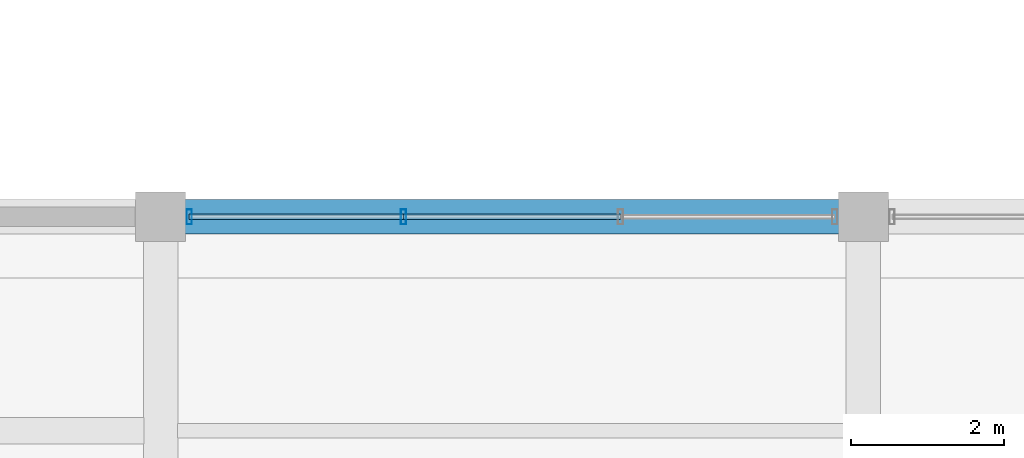
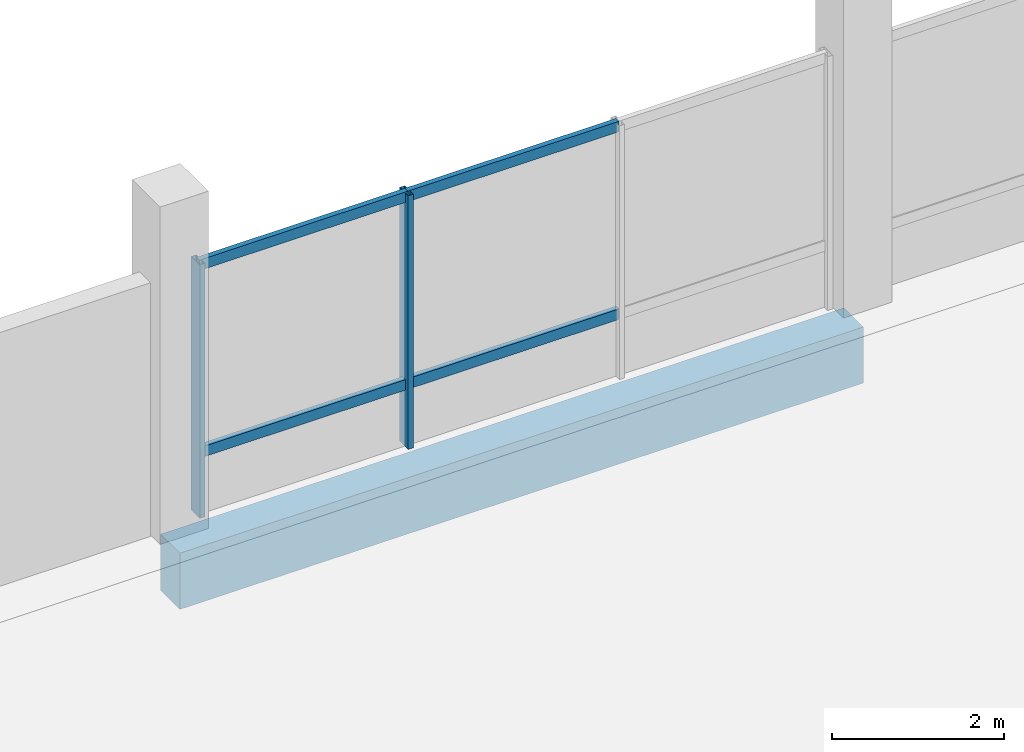
# One storey, part 26 of 71: 6 members, 1 beam, 1 element without a shape of its own.
"""IFC4 building model written with IfcOpenShell, lengths in metres."""

from ifc_helpers import new_model, si_unit, direction, frame, origin, origin_2d, place, context, subcontext, project, spatial, rectangle, hollow_rectangle, extrude, material, layer, layer_set, material_profile, profile_set, type_object, element, aggregate, save


model = new_model("IFC4")

# Units and contexts
model_context = context("Model", 3, precision=1e-05, world=origin(), true_north=direction((0.0, 1.0)))
body_context = subcontext(model_context, "Body", "Model", "MODEL_VIEW")
ifc_project = project(units=[si_unit("LENGTHUNIT", "METRE"), si_unit("AREAUNIT", "SQUARE_METRE"), si_unit("VOLUMEUNIT", "CUBIC_METRE"), si_unit("PLANEANGLEUNIT", "RADIAN"), si_unit("MASSUNIT", "GRAM", prefix="KILO")], contexts=[model_context])

# Site, building, storey
site_placement = place(None, origin())
site = spatial("IfcSite", under=ifc_project, at=site_placement, CompositionType="ELEMENT")
building_placement = place(site_placement, origin())
building = spatial("IfcBuilding", under=site, at=building_placement, Name="Meriwether Solvik Hall", CompositionType="ELEMENT")
storey_placement = place(building_placement, frame((0.0, 0.0, 5.10009765625)))
storey = spatial("IfcBuildingStorey", under=building, at=storey_placement, Name="L01", CompositionType="ELEMENT", Elevation=5.10009765625)

# Beam
ifc_material_1 = material(Name="Concrete C40/50", Category="concrete")
ifc_material_profile_1 = material_profile(ifc_material_1, rectangle(XDim=0.449951171875, YDim=0.800048828125, at=origin_2d()), Name="RCB-450X800")
ifc_profile_set_1 = profile_set([ifc_material_profile_1], Name="Concrete C40/50")
beam_type = type_object("IfcBeamType", Name="BM-RC-450X800", PredefinedType="BEAM", material=ifc_profile_set_1)
beam_placement = place(storey_placement, frame((32.39990234375, 75.199951171875, -0.7001953125), z_axis=(1.0, 0.0, 0.0), x_axis=(0.0, 1.0, 0.0)))
element("IfcBeam", 1, at=beam_placement, inside=storey, type_object=beam_type, Name="Podium Girder I:4-5 (L01)", PredefinedType="BEAM", context=body_context, shape_type="SweptSolid", body=[
    extrude(rectangle(XDim=0.449951171875, YDim=0.800048828125, at=origin_2d()), origin(), (0.0, 0.0, 1.0), 9.2001953125),
])

# Curtain wall, members
ifc_material_2 = material(Name="Thermally Broken Anodised Aluminium 6063-T6 and Low-E Glass", Category="aluminium")
ifc_layer = layer(ifc_material_2, 0.179931640625)
ifc_layer_set = layer_set([ifc_layer], Name="Thermally Broken Anodised Aluminium 6063-T6 and Low-E Glass")
curtain_wall_type = type_object("IfcCurtainWallType", Name="CW-SF-POD-B", PredefinedType="USERDEFINED", material=ifc_layer_set)
curtain_wall_placement = place(storey_placement, origin())
curtain_wall = element("IfcCurtainWall", 2, at=curtain_wall_placement, inside=storey, type_object=curtain_wall_type, Name="Curtain Wall wing_XI_4_21 (L01)", ObjectType="STICK STOREFRONT GLAZING", PredefinedType="USERDEFINED")
ifc_material_3 = material(Name="Anodised Aluminium 6063-T6", Category="aluminium")
ifc_material_profile_2 = material_profile(ifc_material_3, hollow_rectangle(XDim=0.070068359375, YDim=0.199951171875, WallThickness=0.0048828125, at=origin_2d()), Name="CWM-70X200")
ifc_profile_set_2 = profile_set([ifc_material_profile_2], Name="Anodised Aluminium 6063-T6")
member_type_1 = type_object("IfcMemberType", Name="CW-MUL-70X200", PredefinedType="MULLION", material=ifc_profile_set_2)
member_1_placement = place(storey_placement, frame((32.77490234375, 75.199951171875, 0.0), z_axis=(0.0, 0.0, 1.0), x_axis=(1.0, 0.0, 0.0)))
member_1 = element("IfcMember", 3, at=member_1_placement, type_object=member_type_1, Name="Curtain Wall Mullion 1", PredefinedType="MULLION", context=body_context, shape_type="SweptSolid", body=[
    extrude(hollow_rectangle(XDim=0.070068359375, YDim=0.199951171875, WallThickness=0.0048828125, at=origin_2d()), origin(), (0.0, 0.0, 1.0), 3.60986328125),
])
member_2_placement = place(storey_placement, frame((35.5791015625, 75.199951171875, 0.0), z_axis=(0.0, 0.0, 1.0), x_axis=(1.0, 0.0, 0.0)))
member_2 = element("IfcMember", 4, at=member_2_placement, type_object=member_type_1, Name="Curtain Wall Mullion 2", PredefinedType="MULLION", context=body_context, shape_type="SweptSolid", body=[
    extrude(hollow_rectangle(XDim=0.070068359375, YDim=0.199951171875, WallThickness=0.0048828125, at=origin_2d()), origin(), (0.0, 0.0, 1.0), 3.60986328125),
])
ifc_material_4 = material(Name="Anodised Aluminium 6063-T6", Category="aluminium")
ifc_material_profile_3 = material_profile(ifc_material_4, hollow_rectangle(XDim=0.070068359375, YDim=0.14990234375, WallThickness=0.0048828125, at=origin_2d()), Name="CWT-70X150")
ifc_profile_set_3 = profile_set([ifc_material_profile_3], Name="Anodised Aluminium 6063-T6")
member_type_2 = type_object("IfcMemberType", Name="CW-TRN-70X150", PredefinedType="USERDEFINED", material=ifc_profile_set_3)
member_3_placement = place(storey_placement, frame((32.77490234375, 75.199951171875, 0.8798828125), z_axis=(1.0, 0.0, 0.0), x_axis=(0.0, 1.0, 0.0)))
member_3 = element("IfcMember", 5, at=member_3_placement, type_object=member_type_2, Name="Curtain Wall Transom 1-sill", ObjectType="TRANSOM", PredefinedType="USERDEFINED", context=body_context, shape_type="SweptSolid", body=[
    extrude(hollow_rectangle(XDim=0.070068359375, YDim=0.14990234375, WallThickness=0.0048828125, at=origin_2d()), origin(), (0.0, 0.0, 1.0), 2.80419921875),
])
member_4_placement = place(storey_placement, frame((32.77490234375, 75.199951171875, 3.5498046875), z_axis=(1.0, 0.0, 0.0), x_axis=(0.0, 1.0, 0.0)))
member_4 = element("IfcMember", 6, at=member_4_placement, type_object=member_type_2, Name="Curtain Wall Transom 1-head", ObjectType="TRANSOM", PredefinedType="USERDEFINED", context=body_context, shape_type="SweptSolid", body=[
    extrude(hollow_rectangle(XDim=0.070068359375, YDim=0.14990234375, WallThickness=0.0048828125, at=origin_2d()), origin(), (0.0, 0.0, 1.0), 2.80419921875),
])
member_5_placement = place(storey_placement, frame((35.5791015625, 75.199951171875, 0.8798828125), z_axis=(1.0, 0.0, 0.0), x_axis=(0.0, 1.0, 0.0)))
member_5 = element("IfcMember", 7, at=member_5_placement, type_object=member_type_2, Name="Curtain Wall Transom 2-sill", ObjectType="TRANSOM", PredefinedType="USERDEFINED", context=body_context, shape_type="SweptSolid", body=[
    extrude(hollow_rectangle(XDim=0.070068359375, YDim=0.14990234375, WallThickness=0.0048828125, at=origin_2d()), origin(), (0.0, 0.0, 1.0), 2.841796875),
])
member_6_placement = place(storey_placement, frame((35.5791015625, 75.199951171875, 3.5498046875), z_axis=(1.0, 0.0, 0.0), x_axis=(0.0, 1.0, 0.0)))
member_6 = element("IfcMember", 8, at=member_6_placement, type_object=member_type_2, Name="Curtain Wall Transom 2-head", ObjectType="TRANSOM", PredefinedType="USERDEFINED", context=body_context, shape_type="SweptSolid", body=[
    extrude(hollow_rectangle(XDim=0.070068359375, YDim=0.14990234375, WallThickness=0.0048828125, at=origin_2d()), origin(), (0.0, 0.0, 1.0), 2.841796875),
])
aggregate(curtain_wall, [member_1, member_2, member_3, member_4, member_5, member_6])

save(model, "model.ifc")
